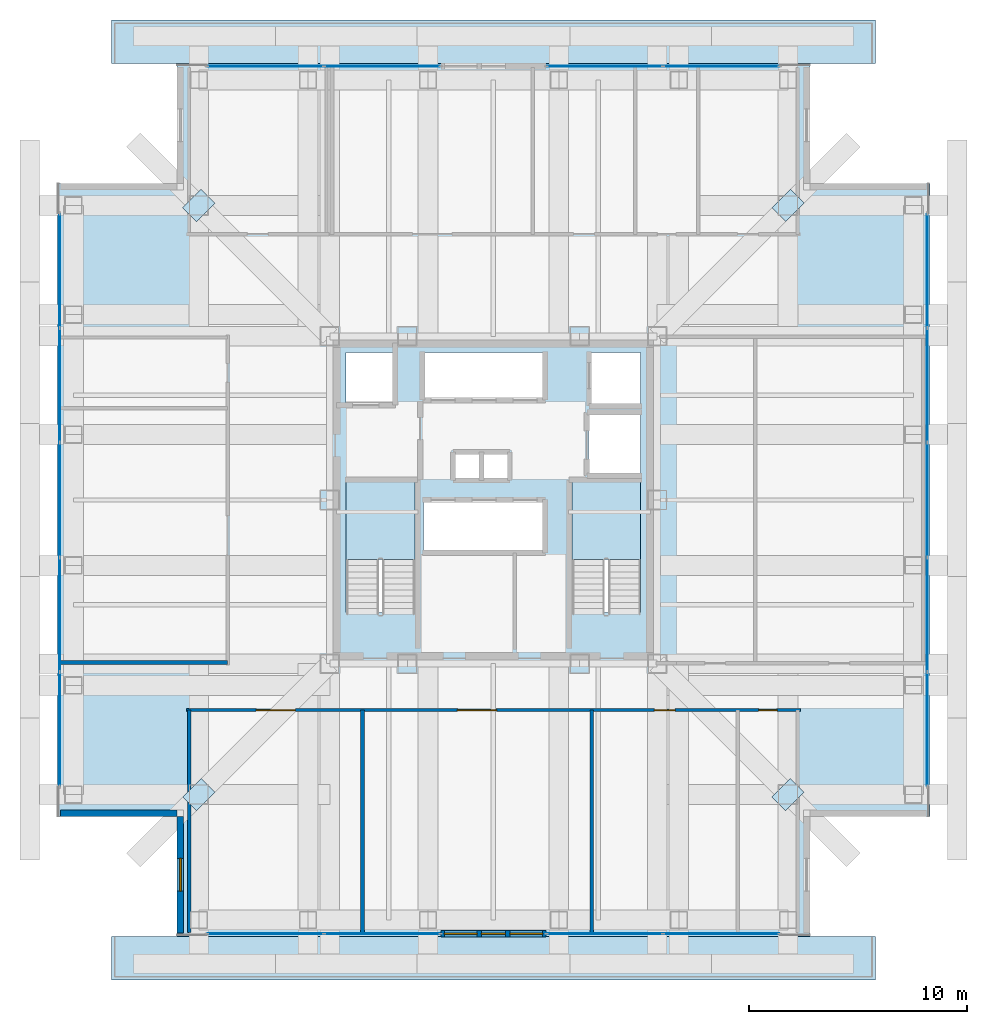
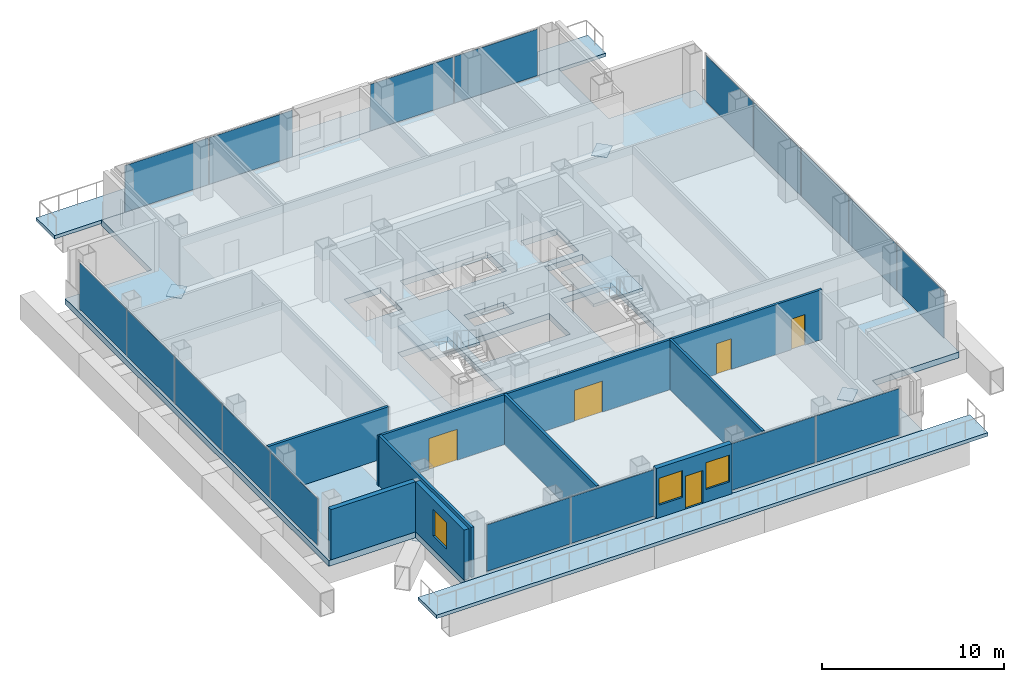
# One storey, part 9 of 14: 22 plates, 8 walls, 5 doors, 5 slabs, 3 windows, 8 openings, 8 elements without a shape of their own.
"""IFC4 building model written with IfcOpenShell, lengths in metres."""

import ifcopenshell
import ifcopenshell.guid

model = None  # the IFC model being written
_history = None  # IfcOwnerHistory: only IFC2X3 demands one
_inside = {}  # id of a spatial element -> (the spatial element, [elements in it])
_under = {}  # id of a project, library or spatial element -> (it, [spatial elements below it])
_declared = {}  # id of a project -> (the project, [libraries it declares])
_typed = {}  # id of a type object -> (the type object, [elements of that type])
_made_of = {}  # id of a material, layer set ... -> (it, [elements and type objects made of it])


def new_model(schema):
    """Start an empty IFC model of exactly this schema.

    Asked for "IFC4X3", IfcOpenShell would pick the latest addendum, in which some entities
    have other attributes; the version numbers below select the first issue.
    IFC2X3 requires an IfcOwnerHistory on every rooted entity: one is made here for all.
    """
    global model, _history
    if schema == "IFC4X3":
        model = ifcopenshell.file(schema_version=(4, 3, 0, 0))
    else:
        model = ifcopenshell.file(schema=schema)
    _inside.clear()
    _under.clear()
    _declared.clear()
    _typed.clear()
    _made_of.clear()
    _history = None
    if model.schema == "IFC2X3":
        org = make("IfcOrganization", Name="unknown")
        user = make(
            "IfcPersonAndOrganization",
            ThePerson=make("IfcPerson", FamilyName="unknown"),
            TheOrganization=org,
        )
        app = make(
            "IfcApplication",
            ApplicationDeveloper=org,
            Version="unknown",
            ApplicationFullName="unknown",
            ApplicationIdentifier="unknown",
        )
        _history = make(
            "IfcOwnerHistory",
            OwningUser=user,
            OwningApplication=app,
            ChangeAction="ADDED",
            CreationDate=0,
        )
    return model


def make(cls, **values):
    """One entity of the class cls with the attributes given. An attribute that is None is left unset."""
    return model.create_entity(
        cls, **{name: value for name, value in values.items() if value is not None}
    )


def rooted(cls, **values):
    """An entity with a GlobalId (a new one), such as an element, a storey or a relation."""
    return make(cls, GlobalId=ifcopenshell.guid.new(), OwnerHistory=_history, **values)


def si_unit(unit_type, name, prefix=None):
    """IfcSIUnit, for example si_unit("LENGTHUNIT", "METRE", prefix="MILLI")."""
    return make("IfcSIUnit", UnitType=unit_type, Prefix=prefix, Name=name)


def assignment(units):
    """IfcUnitAssignment: the units of a project."""
    return None if units is None else make("IfcUnitAssignment", Units=units)


def point(xyz):
    """IfcCartesianPoint."""
    return None if xyz is None else make("IfcCartesianPoint", Coordinates=xyz)


def direction(xyz):
    """IfcDirection."""
    return None if xyz is None else make("IfcDirection", DirectionRatios=xyz)


def frame(location, z_axis=None, x_axis=None):
    """IfcAxis2Placement3D, a coordinate frame: its origin and axes. An axis left out is left unset."""
    return make(
        "IfcAxis2Placement3D",
        Location=point(location),
        Axis=direction(z_axis),
        RefDirection=direction(x_axis),
    )


def frame_2d(location, x_axis=None):
    """IfcAxis2Placement2D, a coordinate frame in the plane: its origin and x axis."""
    return make(
        "IfcAxis2Placement2D", Location=point(location), RefDirection=direction(x_axis)
    )


def origin():
    """The frame at (0, 0, 0) with its axes left unset."""
    return frame((0.0, 0.0, 0.0))


def origin_2d():
    """The frame at (0, 0) in the plane with its x axis left unset."""
    return frame_2d((0.0, 0.0))


def place(relative_to, where):
    """IfcLocalPlacement: puts the frame where relative to a parent placement (None: the world)."""
    return make(
        "IfcLocalPlacement", PlacementRelTo=relative_to, RelativePlacement=where
    )


def context(
    kind, dimensions, precision=None, world=None, true_north=None, identifier=None
):
    """IfcGeometricRepresentationContext, for example the 3D "Model" context."""
    return make(
        "IfcGeometricRepresentationContext",
        ContextIdentifier=identifier,
        ContextType=kind,
        CoordinateSpaceDimension=dimensions,
        Precision=precision,
        WorldCoordinateSystem=world,
        TrueNorth=true_north,
    )


def subcontext(parent, identifier, kind, view, scale=None):
    """IfcGeometricRepresentationSubContext, for example "Body" below "Model"."""
    return make(
        "IfcGeometricRepresentationSubContext",
        ContextIdentifier=identifier,
        ContextType=kind,
        ParentContext=parent,
        TargetScale=scale,
        TargetView=view,
    )


def project(units=None, contexts=None):
    """IfcProject with its units and contexts."""
    return rooted(
        "IfcProject",
        Name="project",
        RepresentationContexts=contexts,
        UnitsInContext=assignment(units),
    )


def spatial(cls, under=None, at=None, **own):
    """A site, building, storey or space (cls), placed at a placement, below another one or the project."""
    s = rooted(cls, ObjectPlacement=at, **own)
    if under is not None:
        _under.setdefault(under.id(), (under, []))[1].append(s)
    return s


def polyline(points):
    """IfcPolyline through the points."""
    return make("IfcPolyline", Points=[point(p) for p in points])


def profile(cls, at=None, kind="AREA", **sizes):
    """A parametric profile (cls). Its sizes go by their IFC names, for example OverallWidth=200.0."""
    return make(cls, ProfileType=kind, Position=at, **sizes)


def rectangle(**sizes):
    """IfcRectangleProfileDef."""
    return profile("IfcRectangleProfileDef", **sizes)


def outline(outer, holes=None, kind="AREA"):
    """IfcArbitraryClosedProfileDef: a profile drawn as a closed curve; with holes, ...WithVoids."""
    if holes is None:
        return make("IfcArbitraryClosedProfileDef", ProfileType=kind, OuterCurve=outer)
    return make(
        "IfcArbitraryProfileDefWithVoids",
        ProfileType=kind,
        OuterCurve=outer,
        InnerCurves=holes,
    )


def extrude(swept, where, along, depth):
    """IfcExtrudedAreaSolid: the profile swept, set in the frame where, extruded along a direction by depth."""
    return make(
        "IfcExtrudedAreaSolid",
        SweptArea=swept,
        Position=where,
        ExtrudedDirection=direction(along),
        Depth=depth,
    )


def shape(context_of_items, identifier, shape_type, items):
    """IfcShapeRepresentation: the items that make up one representation, for example the "Body"."""
    return make(
        "IfcShapeRepresentation",
        ContextOfItems=context_of_items,
        RepresentationIdentifier=identifier,
        RepresentationType=shape_type,
        Items=items,
    )


def material(Name=None, Category=None):
    """IfcMaterial."""
    return make("IfcMaterial", Name=Name, Category=Category)


def layer(
    of_material, thickness, ventilated=None, Name=None, Category=None, Priority=None
):
    """IfcMaterialLayer: one layer of a wall or slab, of a material (None: an air gap)."""
    return make(
        "IfcMaterialLayer",
        Material=of_material,
        LayerThickness=thickness,
        IsVentilated=ventilated,
        Name=Name,
        Category=Category,
        Priority=Priority,
    )


def layer_set(layers, Name=None):
    """IfcMaterialLayerSet."""
    return make("IfcMaterialLayerSet", MaterialLayers=layers, LayerSetName=Name)


def made_of(thing, what):
    """Note that an element or type object is made of a material, layer set ...; save() writes the relation."""
    if what is not None:
        _made_of.setdefault(what.id(), (what, []))[1].append(thing)
    return thing


def type_object(cls, material=None, **own):
    """A type object (cls), such as IfcWallType, which elements share."""
    return made_of(rooted(cls, **own), material)


def element(
    cls,
    number,
    at=None,
    inside=None,
    cuts=None,
    type_object=None,
    material=None,
    context=None,
    identifier="Body",
    shape_type=None,
    held_by="IfcProductDefinitionShape",
    body=None,
    shapes=None,
    **own,
):
    """One element of the class cls, such as IfcWall. Its Tag is "e" and its number.

    at: its placement. inside: the storey or other place that contains it. cuts: it is an
    opening in that element (IfcRelVoidsElement). A single representation is given by context,
    identifier, shape_type and body (its items); several are given by shapes. held_by: the class
    of the entity that holds the representations. save() writes the other relations.
    """
    e = rooted(cls, Tag="e%d" % number, ObjectPlacement=at, **own)
    if body is not None:
        shapes = [shape(context, identifier, shape_type, body)]
    if shapes is not None:
        e.Representation = make(held_by, Representations=shapes)
    if inside is not None:
        _inside.setdefault(inside.id(), (inside, []))[1].append(e)
    if cuts is not None:
        rooted(
            "IfcRelVoidsElement", RelatingBuildingElement=cuts, RelatedOpeningElement=e
        )
    if type_object is not None:
        _typed.setdefault(type_object.id(), (type_object, []))[1].append(e)
    return made_of(e, material)


def fill(opening, filler):
    """IfcRelFillsElement: the door or window that sits in an opening."""
    return rooted(
        "IfcRelFillsElement",
        RelatingOpeningElement=opening,
        RelatedBuildingElement=filler,
    )


def aggregate(whole, parts):
    """IfcRelAggregates: a whole, such as a stair, and the parts it consists of."""
    return rooted("IfcRelAggregates", RelatingObject=whole, RelatedObjects=parts)


def save(model, path):
    """Write the relations noted so far, then the file.

    IfcRelAggregates (storeys below a building ...), IfcRelContainedInSpatialStructure (elements
    in a storey), IfcRelDefinesByType, IfcRelAssociatesMaterial and IfcRelDeclares: one each for
    every whole, place, type object, material and project.
    """
    for whole, parts in _under.values():
        aggregate(whole, parts)
    for where, things in _inside.values():
        rooted(
            "IfcRelContainedInSpatialStructure",
            RelatedElements=things,
            RelatingStructure=where,
        )
    for kind, things in _typed.values():
        rooted("IfcRelDefinesByType", RelatedObjects=things, RelatingType=kind)
    for what, things in _made_of.values():
        rooted("IfcRelAssociatesMaterial", RelatedObjects=things, RelatingMaterial=what)
    for by, libraries in _declared.values():
        rooted("IfcRelDeclares", RelatingContext=by, RelatedDefinitions=libraries)
    model.write(path)


model = new_model("IFC4")

# Units and contexts
model_context = context("Model", 3, precision=1e-05, world=origin(), true_north=direction((0.0, 1.0)))
body_context = subcontext(model_context, "Body", "Model", "MODEL_VIEW")
ifc_project = project(units=[si_unit("LENGTHUNIT", "METRE"), si_unit("AREAUNIT", "SQUARE_METRE"), si_unit("VOLUMEUNIT", "CUBIC_METRE"), si_unit("PLANEANGLEUNIT", "RADIAN"), si_unit("MASSUNIT", "GRAM", prefix="KILO")], contexts=[model_context])

# Site, building, storey
site_placement = place(None, origin())
site = spatial("IfcSite", under=ifc_project, at=site_placement, CompositionType="ELEMENT")
building_placement = place(site_placement, origin())
building = spatial("IfcBuilding", under=site, at=building_placement, Name="Trevonay Congress Spire", CompositionType="ELEMENT")
storey_placement = place(building_placement, frame((0.0, 0.0, 166.199951171875)))
storey = spatial("IfcBuildingStorey", under=building, at=storey_placement, Name="L42", CompositionType="ELEMENT", Elevation=166.199951171875)

# Curtain wall, plates
ifc_material_1 = material(Name="Pale Anodised Aluminium EN AW-6063-T6", Category="aluminium")
ifc_layer_1 = layer(ifc_material_1, 0.169921875, Name="Pale Anodised Aluminium EN AW-6063-T6")
ifc_layer_set_1 = layer_set([ifc_layer_1], Name="Pale Anodised Aluminium EN AW-6063-T6")
curtain_wall_type = type_object("IfcCurtainWallType", Name="CW-SYS04-CORP-PALE-METAL", PredefinedType="NOTDEFINED", material=ifc_layer_set_1)
curtain_wall_1_placement = place(storey_placement, origin())
curtain_wall_1 = element("IfcCurtainWall", 1, at=curtain_wall_1_placement, inside=storey, type_object=curtain_wall_type, Name="L42 SA unitised curtain wall", PredefinedType="NOTDEFINED")
ifc_material_2 = material(Name="Insulated Low-E Vision Glass IGU", Category="glass")
ifc_layer_2 = layer(ifc_material_2, 0.035888671875, Name="Insulated Low-E Vision Glass IGU")
ifc_layer_set_2 = layer_set([ifc_layer_2], Name="Insulated Low-E Vision Glass IGU")
plate_type_1 = type_object("IfcPlateType", Name="CW-PANEL-IGU36-SILVER", PredefinedType="CURTAIN_PANEL", material=ifc_layer_set_2)
plate_1_placement = place(storey_placement, frame((-10.447509765625, -19.8798828125, 0.119873046875), z_axis=(0.0, 0.0, 1.0), x_axis=(1.0, 0.0, 0.0)))
plate_1 = element("IfcPlate", 2, at=plate_1_placement, type_object=plate_type_1, Name="CW04 panel 1.1", PredefinedType="CURTAIN_PANEL", context=body_context, shape_type="SweptSolid", body=[
    extrude(rectangle(XDim=5.284912109375, YDim=0.035888671875, at=origin_2d()), origin(), (0.0, 0.0, 1.0), 3.1201171875),
])
plate_2_placement = place(storey_placement, frame((-5.1025390625, -19.8798828125, 0.119873046875), z_axis=(0.0, 0.0, 1.0), x_axis=(1.0, 0.0, 0.0)))
plate_2 = element("IfcPlate", 3, at=plate_2_placement, type_object=plate_type_1, Name="CW04 panel 2.1", PredefinedType="CURTAIN_PANEL", context=body_context, shape_type="SweptSolid", body=[
    extrude(rectangle(XDim=5.284912109375, YDim=0.035888671875, at=origin_2d()), origin(), (0.0, 0.0, 1.0), 3.1201171875),
])
aggregate(curtain_wall_1, [plate_1, plate_2])

curtain_wall_2_placement = place(storey_placement, origin())
curtain_wall_2 = element("IfcCurtainWall", 4, at=curtain_wall_2_placement, inside=storey, type_object=curtain_wall_type, Name="L42 SB unitised curtain wall", PredefinedType="NOTDEFINED")
plate_3_placement = place(storey_placement, frame((5.1025390625, -19.8798828125, 0.119873046875), z_axis=(0.0, 0.0, 1.0), x_axis=(1.0, 0.0, 0.0)))
plate_3 = element("IfcPlate", 5, at=plate_3_placement, type_object=plate_type_1, Name="CW04 panel 1.1", PredefinedType="CURTAIN_PANEL", context=body_context, shape_type="SweptSolid", body=[
    extrude(rectangle(XDim=5.284912109375, YDim=0.035888671875, at=origin_2d()), origin(), (0.0, 0.0, 1.0), 3.1201171875),
])
plate_4_placement = place(storey_placement, frame((10.447509765625, -19.8798828125, 0.119873046875), z_axis=(0.0, 0.0, 1.0), x_axis=(1.0, 0.0, 0.0)))
plate_4 = element("IfcPlate", 6, at=plate_4_placement, type_object=plate_type_1, Name="CW04 panel 2.1", PredefinedType="CURTAIN_PANEL", context=body_context, shape_type="SweptSolid", body=[
    extrude(rectangle(XDim=5.284912109375, YDim=0.035888671875, at=origin_2d()), origin(), (0.0, 0.0, 1.0), 3.1201171875),
])
aggregate(curtain_wall_2, [plate_3, plate_4])

curtain_wall_3_placement = place(storey_placement, origin())
curtain_wall_3 = element("IfcCurtainWall", 7, at=curtain_wall_3_placement, inside=storey, type_object=curtain_wall_type, Name="L42 NA unitised curtain wall", PredefinedType="NOTDEFINED")
plate_5_placement = place(storey_placement, frame((-10.447509765625, 19.8798828125, 0.119873046875), z_axis=(0.0, 0.0, 1.0), x_axis=(1.0, 0.0, 0.0)))
plate_5 = element("IfcPlate", 8, at=plate_5_placement, type_object=plate_type_1, Name="CW04 panel 1.1", PredefinedType="CURTAIN_PANEL", context=body_context, shape_type="SweptSolid", body=[
    extrude(rectangle(XDim=5.284912109375, YDim=0.035888671875, at=origin_2d()), origin(), (0.0, 0.0, 1.0), 3.1201171875),
])
plate_6_placement = place(storey_placement, frame((-5.1025390625, 19.8798828125, 0.119873046875), z_axis=(0.0, 0.0, 1.0), x_axis=(1.0, 0.0, 0.0)))
plate_6 = element("IfcPlate", 9, at=plate_6_placement, type_object=plate_type_1, Name="CW04 panel 2.1", PredefinedType="CURTAIN_PANEL", context=body_context, shape_type="SweptSolid", body=[
    extrude(rectangle(XDim=5.284912109375, YDim=0.035888671875, at=origin_2d()), origin(), (0.0, 0.0, 1.0), 3.1201171875),
])
aggregate(curtain_wall_3, [plate_5, plate_6])

curtain_wall_4_placement = place(storey_placement, origin())
curtain_wall_4 = element("IfcCurtainWall", 10, at=curtain_wall_4_placement, inside=storey, type_object=curtain_wall_type, Name="L42 NB unitised curtain wall", PredefinedType="NOTDEFINED")
plate_7_placement = place(storey_placement, frame((5.1025390625, 19.8798828125, 0.119873046875), z_axis=(0.0, 0.0, 1.0), x_axis=(1.0, 0.0, 0.0)))
plate_7 = element("IfcPlate", 11, at=plate_7_placement, type_object=plate_type_1, Name="CW04 panel 1.1", PredefinedType="CURTAIN_PANEL", context=body_context, shape_type="SweptSolid", body=[
    extrude(rectangle(XDim=5.284912109375, YDim=0.035888671875, at=origin_2d()), origin(), (0.0, 0.0, 1.0), 3.1201171875),
])
plate_8_placement = place(storey_placement, frame((10.447509765625, 19.8798828125, 0.119873046875), z_axis=(0.0, 0.0, 1.0), x_axis=(1.0, 0.0, 0.0)))
plate_8 = element("IfcPlate", 12, at=plate_8_placement, type_object=plate_type_1, Name="CW04 panel 2.1", PredefinedType="CURTAIN_PANEL", context=body_context, shape_type="SweptSolid", body=[
    extrude(rectangle(XDim=5.284912109375, YDim=0.035888671875, at=origin_2d()), origin(), (0.0, 0.0, 1.0), 3.1201171875),
])
aggregate(curtain_wall_4, [plate_7, plate_8])

curtain_wall_5_placement = place(storey_placement, origin())
curtain_wall_5 = element("IfcCurtainWall", 13, at=curtain_wall_5_placement, inside=storey, type_object=curtain_wall_type, Name="L42 W unitised curtain wall", PredefinedType="NOTDEFINED")
plate_9_placement = place(storey_placement, frame((-19.8798828125, -10.5048828125, 0.119873046875), z_axis=(0.0, 0.0, 1.0), x_axis=(0.0, 1.0, 0.0)))
plate_9 = element("IfcPlate", 14, at=plate_9_placement, type_object=plate_type_1, Name="CW04 panel 1.1", PredefinedType="CURTAIN_PANEL", context=body_context, shape_type="SweptSolid", body=[
    extrude(rectangle(XDim=5.169921875, YDim=0.035888671875, at=origin_2d()), origin(), (0.0, 0.0, 1.0), 3.1201171875),
])
plate_10_placement = place(storey_placement, frame((-19.8798828125, -5.260009765625, 0.119873046875), z_axis=(0.0, 0.0, 1.0), x_axis=(0.0, 1.0, 0.0)))
plate_10 = element("IfcPlate", 15, at=plate_10_placement, type_object=plate_type_1, Name="CW04 panel 2.1", PredefinedType="CURTAIN_PANEL", context=body_context, shape_type="SweptSolid", body=[
    extrude(rectangle(XDim=5.199951171875, YDim=0.035888671875, at=origin_2d()), origin(), (0.0, 0.0, 1.0), 3.1201171875),
])
plate_11_placement = place(storey_placement, frame((-19.8798828125, 0.0, 0.119873046875), z_axis=(0.0, 0.0, 1.0), x_axis=(0.0, 1.0, 0.0)))
plate_11 = element("IfcPlate", 16, at=plate_11_placement, type_object=plate_type_1, Name="CW04 panel 3.1", PredefinedType="CURTAIN_PANEL", context=body_context, shape_type="SweptSolid", body=[
    extrude(rectangle(XDim=5.199951171875, YDim=0.035888671875, at=origin_2d()), origin(), (0.0, 0.0, 1.0), 3.1201171875),
])
plate_12_placement = place(storey_placement, frame((-19.8798828125, 5.260009765625, 0.119873046875), z_axis=(0.0, 0.0, 1.0), x_axis=(0.0, 1.0, 0.0)))
plate_12 = element("IfcPlate", 17, at=plate_12_placement, type_object=plate_type_1, Name="CW04 panel 4.1", PredefinedType="CURTAIN_PANEL", context=body_context, shape_type="SweptSolid", body=[
    extrude(rectangle(XDim=5.199951171875, YDim=0.035888671875, at=origin_2d()), origin(), (0.0, 0.0, 1.0), 3.1201171875),
])
plate_13_placement = place(storey_placement, frame((-19.8798828125, 10.5048828125, 0.119873046875), z_axis=(0.0, 0.0, 1.0), x_axis=(0.0, 1.0, 0.0)))
plate_13 = element("IfcPlate", 18, at=plate_13_placement, type_object=plate_type_1, Name="CW04 panel 5.1", PredefinedType="CURTAIN_PANEL", context=body_context, shape_type="SweptSolid", body=[
    extrude(rectangle(XDim=5.169921875, YDim=0.035888671875, at=origin_2d()), origin(), (0.0, 0.0, 1.0), 3.1201171875),
])
aggregate(curtain_wall_5, [plate_9, plate_10, plate_11, plate_12, plate_13])

curtain_wall_6_placement = place(storey_placement, origin())
curtain_wall_6 = element("IfcCurtainWall", 19, at=curtain_wall_6_placement, inside=storey, type_object=curtain_wall_type, Name="L42 E unitised curtain wall", PredefinedType="NOTDEFINED")
plate_14_placement = place(storey_placement, frame((19.8798828125, -10.5048828125, 0.119873046875), z_axis=(0.0, 0.0, 1.0), x_axis=(0.0, 1.0, 0.0)))
plate_14 = element("IfcPlate", 20, at=plate_14_placement, type_object=plate_type_1, Name="CW04 panel 1.1", PredefinedType="CURTAIN_PANEL", context=body_context, shape_type="SweptSolid", body=[
    extrude(rectangle(XDim=5.169921875, YDim=0.035888671875, at=origin_2d()), origin(), (0.0, 0.0, 1.0), 3.1201171875),
])
plate_15_placement = place(storey_placement, frame((19.8798828125, -5.260009765625, 0.119873046875), z_axis=(0.0, 0.0, 1.0), x_axis=(0.0, 1.0, 0.0)))
plate_15 = element("IfcPlate", 21, at=plate_15_placement, type_object=plate_type_1, Name="CW04 panel 2.1", PredefinedType="CURTAIN_PANEL", context=body_context, shape_type="SweptSolid", body=[
    extrude(rectangle(XDim=5.199951171875, YDim=0.035888671875, at=origin_2d()), origin(), (0.0, 0.0, 1.0), 3.1201171875),
])
plate_16_placement = place(storey_placement, frame((19.8798828125, 0.0, 0.119873046875), z_axis=(0.0, 0.0, 1.0), x_axis=(0.0, 1.0, 0.0)))
plate_16 = element("IfcPlate", 22, at=plate_16_placement, type_object=plate_type_1, Name="CW04 panel 3.1", PredefinedType="CURTAIN_PANEL", context=body_context, shape_type="SweptSolid", body=[
    extrude(rectangle(XDim=5.199951171875, YDim=0.035888671875, at=origin_2d()), origin(), (0.0, 0.0, 1.0), 3.1201171875),
])
plate_17_placement = place(storey_placement, frame((19.8798828125, 5.260009765625, 0.119873046875), z_axis=(0.0, 0.0, 1.0), x_axis=(0.0, 1.0, 0.0)))
plate_17 = element("IfcPlate", 23, at=plate_17_placement, type_object=plate_type_1, Name="CW04 panel 4.1", PredefinedType="CURTAIN_PANEL", context=body_context, shape_type="SweptSolid", body=[
    extrude(rectangle(XDim=5.199951171875, YDim=0.035888671875, at=origin_2d()), origin(), (0.0, 0.0, 1.0), 3.1201171875),
])
plate_18_placement = place(storey_placement, frame((19.8798828125, 10.5048828125, 0.119873046875), z_axis=(0.0, 0.0, 1.0), x_axis=(0.0, 1.0, 0.0)))
plate_18 = element("IfcPlate", 24, at=plate_18_placement, type_object=plate_type_1, Name="CW04 panel 5.1", PredefinedType="CURTAIN_PANEL", context=body_context, shape_type="SweptSolid", body=[
    extrude(rectangle(XDim=5.169921875, YDim=0.035888671875, at=origin_2d()), origin(), (0.0, 0.0, 1.0), 3.1201171875),
])
aggregate(curtain_wall_6, [plate_14, plate_15, plate_16, plate_17, plate_18])

# Plates
ifc_material_3 = material(Name="Steel ASTM A572 Grade 50", Category="steel")
ifc_layer_3 = layer(ifc_material_3, 0.044921875, Name="Steel ASTM A572 Grade 50")
ifc_layer_set_3 = layer_set([ifc_layer_3], Name="Steel ASTM A572 Grade 50")
plate_type_2 = type_object("IfcPlateType", Name="PLT-GUSSET-INT-45", PredefinedType="USERDEFINED", material=ifc_layer_set_3)
for number, where, z_axis, x_axis, name in (
    (25, (-13.5, -13.5, -1.222412109375), (0.0, 0.0, 1.0), (0.707106781187, 0.707106781187, 0.0), "L42 setback column transfer gusset plate KN-01 (SW)"),
    (26, (13.5, -13.5, -1.222412109375), (0.0, 0.0, 1.0), (0.707106781187, 0.707106781187, 0.0), "L42 setback column transfer gusset plate KN-01 (SE)"),
    (27, (13.5, 13.5, -1.222412109375), (0.0, 0.0, 1.0), (0.707106781187, 0.707106781187, 0.0), "L42 setback column transfer gusset plate KN-01 (NE)"),
    (28, (-13.5, 13.5, -1.222412109375), (0.0, 0.0, 1.0), (0.707106781187, 0.707106781187, 0.0), "L42 setback column transfer gusset plate KN-01 (NW)"),
):
    element("IfcPlate", number, at=place(storey_placement, frame(where, z_axis=z_axis, x_axis=x_axis)), inside=storey, type_object=plate_type_2, Name=name, ObjectType="GUSSET_PLATE", PredefinedType="USERDEFINED", context=body_context, shape_type="SweptSolid", body=[
        extrude(rectangle(XDim=1.199951171875, YDim=0.89990234375, at=origin_2d()), origin(), (0.0, 0.0, 1.0), 0.044921875),
    ])

# Slabs
ifc_material_4 = material(Name="Concrete C40/50", Category="concrete")
ifc_layer_4 = layer(ifc_material_4, 0.22998046875, Name="Concrete C40/50")
ifc_layer_set_4 = layer_set([ifc_layer_4], Name="Concrete C40/50")
slab_type_1 = type_object("IfcSlabType", Name="SLB-SKYGARD-230", PredefinedType="FLOOR", material=ifc_layer_set_4)
slab_1_placement = place(storey_placement, frame((0.0, 0.0, -0.22998046875)))
element("IfcSlab", 29, at=slab_1_placement, inside=storey, type_object=slab_type_1, Name="L42 setback sky-garden terrace slab S", PredefinedType="FLOOR", context=body_context, shape_type="SweptSolid", body=[
    extrude(outline(polyline([(-17.5, -22.0), (17.5, -22.0), (17.5, -20.0), (-17.5, -20.0), (-17.5, -22.0)])), origin(), (0.0, 0.0, 1.0), 0.22998046875),
])
slab_2_placement = place(storey_placement, frame((0.0, 0.0, -0.22998046875)))
element("IfcSlab", 30, at=slab_2_placement, inside=storey, type_object=slab_type_1, Name="L42 setback sky-garden terrace slab N", PredefinedType="FLOOR", context=body_context, shape_type="SweptSolid", body=[
    extrude(outline(polyline([(-17.5, 20.0), (17.5, 20.0), (17.5, 22.0), (-17.5, 22.0), (-17.5, 20.0)])), origin(), (0.0, 0.0, 1.0), 0.22998046875),
])

# Stair, slab
stair_type_1 = type_object("IfcStairType", Name="STR-ST-1", PredefinedType="HALF_TURN_STAIR", material=ifc_material_4)
stair_1_placement = place(storey_placement, origin())
stair_1 = element("IfcStair", 31, at=stair_1_placement, inside=storey, type_object=stair_type_1, Name="L42 Protected Exit Stair ST-1", PredefinedType="HALF_TURN_STAIR")
ifc_layer_5 = layer(ifc_material_4, 0.199951171875, Name="Concrete C40/50")
ifc_layer_set_5 = layer_set([ifc_layer_5], Name="Concrete C40/50")
slab_type_2 = type_object("IfcSlabType", Name="SLB-STAIR-LAND-200", PredefinedType="LANDING", material=ifc_layer_set_5)
slab_3_placement = place(storey_placement, frame((0.0, 0.0, 1.60009765625)))
slab_3 = element("IfcSlab", 32, at=slab_3_placement, type_object=slab_type_2, Name="ST-1 landing 1", PredefinedType="LANDING", context=body_context, shape_type="SweptSolid", body=[
    extrude(outline(polyline([(-3.60009765625, -2.72998046875), (-3.60009765625, 0.85009765625), (-6.75, 0.85009765625), (-6.75, -2.72998046875), (-3.60009765625, -2.72998046875)])), origin(), (0.0, 0.0, 1.0), 0.199951171875),
])
aggregate(stair_1, [slab_3])

stair_type_2 = type_object("IfcStairType", Name="STR-ST-2", PredefinedType="HALF_TURN_STAIR", material=ifc_material_4)
stair_2_placement = place(storey_placement, origin())
stair_2 = element("IfcStair", 33, at=stair_2_placement, inside=storey, type_object=stair_type_2, Name="L42 Protected Exit Stair ST-2", PredefinedType="HALF_TURN_STAIR")
slab_4_placement = place(storey_placement, frame((0.0, 0.0, 1.60009765625)))
slab_4 = element("IfcSlab", 34, at=slab_4_placement, type_object=slab_type_2, Name="ST-2 landing 1", PredefinedType="LANDING", context=body_context, shape_type="SweptSolid", body=[
    extrude(outline(polyline([(6.75, -2.72998046875), (6.75, 0.85009765625), (3.60009765625, 0.85009765625), (3.60009765625, -2.72998046875), (6.75, -2.72998046875)])), origin(), (0.0, 0.0, 1.0), 0.199951171875),
])
aggregate(stair_2, [slab_4])

# Slab
ifc_layer_6 = layer(ifc_material_4, 0.39990234375, Name="Concrete C40/50")
ifc_layer_set_6 = layer_set([ifc_layer_6], Name="Concrete C40/50")
slab_type_3 = type_object("IfcSlabType", Name="SLB-XFER-400", PredefinedType="FLOOR", material=ifc_layer_set_6)
slab_5_placement = place(storey_placement, frame((0.0, 0.0, -0.39990234375)))
element("IfcSlab", 35, at=slab_5_placement, inside=storey, type_object=slab_type_3, Name="L42 structural floor slab", PredefinedType="FLOOR", context=body_context, shape_type="SweptSolid", body=[
    extrude(outline(polyline([(-14.5, -20.0), (14.5, -20.0), (14.5, -14.5), (20.0, -14.5), (20.0, 14.5), (14.5, 14.5), (14.5, 20.0), (-14.5, 20.0), (-14.5, 14.5), (-20.0, 14.5), (-20.0, -14.5), (-14.5, -14.5), (-14.5, -20.0)]), holes=[polyline([(-3.60009765625, -5.14990234375), (-3.60009765625, 0.85009765625), (-6.75, 0.85009765625), (-6.75, -5.14990234375), (-3.60009765625, -5.14990234375)]), polyline([(6.75, -5.14990234375), (6.75, 0.85009765625), (3.60009765625, 0.85009765625), (3.60009765625, -5.14990234375), (6.75, -5.14990234375)]), polyline([(-3.199951171875, -2.35009765625), (2.340087890625, -2.35009765625), (2.340087890625, -0.050048828125), (-3.199951171875, -0.050048828125), (-3.199951171875, -2.35009765625)]), polyline([(-3.199951171875, 4.64990234375), (2.340087890625, 4.64990234375), (2.340087890625, 6.75), (-3.199951171875, 6.75), (-3.199951171875, 4.64990234375)]), polyline([(-6.75, 4.35009765625), (-4.449951171875, 4.35009765625), (-4.449951171875, 6.75), (-6.75, 6.75), (-6.75, 4.35009765625)]), polyline([(4.449951171875, 4.35009765625), (6.75, 4.35009765625), (6.75, 6.75), (4.449951171875, 6.75), (4.449951171875, 4.35009765625)]), polyline([(4.35009765625, 1.199951171875), (6.75, 1.199951171875), (6.75, 3.949951171875), (4.35009765625, 3.949951171875), (4.35009765625, 1.199951171875)]), polyline([(-1.800048828125, 0.949951171875), (0.699951171875, 0.949951171875), (0.699951171875, 2.14990234375), (-1.800048828125, 2.14990234375), (-1.800048828125, 0.949951171875)])]), origin(), (0.0, 0.0, 1.0), 0.39990234375),
])

# Wall, openings, doors
ifc_layer_7 = layer(ifc_material_4, 0.14990234375, Name="Concrete C40/50")
ifc_layer_set_7 = layer_set([ifc_layer_7], Name="Concrete C40/50")
wall_type_1 = type_object("IfcWallType", Name="WAL-CORR-150", PredefinedType="PARTITIONING", material=ifc_layer_set_7)
wall_1_placement = place(storey_placement, frame((-14.070068359375, -9.6298828125, 0.0), z_axis=(0.0, 0.0, 1.0), x_axis=(1.0, 0.0, 0.0)))
wall_1 = element("IfcWall", 36, at=wall_1_placement, inside=storey, type_object=wall_type_1, Name="L42 interior wall WP-L42S-COR", PredefinedType="PARTITIONING", context=body_context, shape_type="SweptSolid", body=[
    extrude(rectangle(XDim=28.14013671875, YDim=0.14990234375, at=frame_2d((14.070068359375, 0.0))), origin(), (0.0, 0.0, 1.0), 3.360107421875),
])
opening_1_placement = place(wall_1_placement, frame((3.195068359375, 0.0, 0.0)))
opening_1 = element("IfcOpeningElement", 37, at=opening_1_placement, cuts=wall_1, Name="Opening D09", PredefinedType="OPENING", context=body_context, shape_type="SweptSolid", body=[
    extrude(rectangle(XDim=1.800048828125, YDim=2.080078125, at=frame_2d((0.89990234375, 1.0400390625))), frame((0.0, 0.0849609375, 0.0), z_axis=(0.0, -1.0, 0.0), x_axis=(1.0, 0.0, 0.0)), (0.0, 0.0, 1.0), 0.169921875),
])
opening_2_placement = place(wall_1_placement, frame((12.419921875, 0.0, 0.0)))
opening_2 = element("IfcOpeningElement", 38, at=opening_2_placement, cuts=wall_1, Name="Opening D09", PredefinedType="OPENING", context=body_context, shape_type="SweptSolid", body=[
    extrude(rectangle(XDim=1.800048828125, YDim=2.080078125, at=frame_2d((0.89990234375, 1.0400390625))), frame((0.0, 0.0849609375, 0.0), z_axis=(0.0, -1.0, 0.0), x_axis=(1.0, 0.0, 0.0)), (0.0, 0.0, 1.0), 0.169921875),
])
opening_3_placement = place(wall_1_placement, frame((21.445068359375, 0.0, 0.0)))
opening_3 = element("IfcOpeningElement", 39, at=opening_3_placement, cuts=wall_1, Name="Opening D07", PredefinedType="OPENING", context=body_context, shape_type="SweptSolid", body=[
    extrude(rectangle(XDim=0.949951171875, YDim=2.06005859375, at=frame_2d((0.47509765625, 1.030029296875))), frame((0.0, 0.0849609375, 0.0), z_axis=(0.0, -1.0, 0.0), x_axis=(1.0, 0.0, 0.0)), (0.0, 0.0, 1.0), 0.169921875),
])
opening_4_placement = place(wall_1_placement, frame((26.219970703125, 0.0, 0.0)))
opening_4 = element("IfcOpeningElement", 40, at=opening_4_placement, cuts=wall_1, Name="Opening D10", PredefinedType="OPENING", context=body_context, shape_type="SweptSolid", body=[
    extrude(rectangle(XDim=0.85009765625, YDim=2.050048828125, at=frame_2d((0.425048828125, 1.02490234375))), frame((0.0, 0.0849609375, 0.0), z_axis=(0.0, -1.0, 0.0), x_axis=(1.0, 0.0, 0.0)), (0.0, 0.0, 1.0), 0.169921875),
])
door_type_1 = type_object("IfcDoorType", Name="DOR-CONF-DBL", OperationType="DOUBLE_DOOR_SINGLE_SWING", PredefinedType="DOOR", material=ifc_material_1)
door_1_placement = place(opening_1_placement, origin())
door_1 = element("IfcDoor", 41, at=door_1_placement, inside=storey, type_object=door_type_1, Name="L42 Zone 3 Sky-Garden Transfer Lounge Door", OperationType="DOUBLE_DOOR_SINGLE_SWING", OverallHeight=2.080078125, OverallWidth=1.800048828125, PredefinedType="DOOR", context=body_context, shape_type="SweptSolid", body=[
    extrude(rectangle(XDim=1.800048828125, YDim=2.080078125, at=frame_2d((0.89990234375, 1.0400390625))), frame((0.0, 0.02490234375, 0.0), z_axis=(0.0, -1.0, 0.0), x_axis=(1.0, 0.0, 0.0)), (0.0, 0.0, 1.0), 0.050048828125),
])
fill(opening_1, door_1)
door_2_placement = place(opening_2_placement, origin())
door_2 = element("IfcDoor", 42, at=door_2_placement, inside=storey, type_object=door_type_1, Name="L42 Sky Cafe Bar Door", OperationType="DOUBLE_DOOR_SINGLE_SWING", OverallHeight=2.080078125, OverallWidth=1.800048828125, PredefinedType="DOOR", context=body_context, shape_type="SweptSolid", body=[
    extrude(rectangle(XDim=1.800048828125, YDim=2.080078125, at=frame_2d((0.89990234375, 1.0400390625))), frame((0.0, 0.02490234375, 0.0), z_axis=(0.0, -1.0, 0.0), x_axis=(1.0, 0.0, 0.0)), (0.0, 0.0, 1.0), 0.050048828125),
])
fill(opening_2, door_2)
door_type_2 = type_object("IfcDoorType", Name="DOR-OFFICE-95", OperationType="NOTDEFINED", PredefinedType="DOOR", material=ifc_material_1)
door_3_placement = place(opening_3_placement, origin())
door_3 = element("IfcDoor", 43, at=door_3_placement, inside=storey, type_object=door_type_2, Name="L42 Transfer Concierge Office Door", OperationType="SINGLE_SWING_RIGHT", OverallHeight=2.06005859375, OverallWidth=0.949951171875, PredefinedType="DOOR", context=body_context, shape_type="SweptSolid", body=[
    extrude(rectangle(XDim=0.949951171875, YDim=2.06005859375, at=frame_2d((0.47509765625, 1.030029296875))), frame((0.0, 0.02490234375, 0.0), z_axis=(0.0, -1.0, 0.0), x_axis=(1.0, 0.0, 0.0)), (0.0, 0.0, 1.0), 0.050048828125),
])
fill(opening_3, door_3)
door_type_3 = type_object("IfcDoorType", Name="DOR-WC-85", OperationType="NOTDEFINED", PredefinedType="DOOR", material=ifc_material_1)
door_4_placement = place(opening_4_placement, origin())
door_4 = element("IfcDoor", 44, at=door_4_placement, inside=storey, type_object=door_type_3, Name="L42 Accessible WC Door", OperationType="SINGLE_SWING_LEFT", OverallHeight=2.050048828125, OverallWidth=0.85009765625, PredefinedType="DOOR", context=body_context, shape_type="SweptSolid", body=[
    extrude(rectangle(XDim=0.85009765625, YDim=2.050048828125, at=frame_2d((0.425048828125, 1.02490234375))), frame((0.0, 0.02490234375, 0.0), z_axis=(0.0, -1.0, 0.0), x_axis=(1.0, 0.0, 0.0)), (0.0, 0.0, 1.0), 0.050048828125),
])
fill(opening_4, door_4)

# Wall, openings, door, windows
ifc_material_5 = material(Name="Precast concrete C40/50", Category="concrete")
ifc_layer_8 = layer(ifc_material_5, 0.300048828125, Name="Precast concrete C40/50")
ifc_layer_set_8 = layer_set([ifc_layer_8], Name="Precast concrete C40/50")
wall_type_2 = type_object("IfcWallType", Name="WAL-EXT-PRECAST-300", PredefinedType="SOLIDWALL", material=ifc_layer_set_8)
wall_2_placement = place(storey_placement, frame((-2.39990234375, -19.8798828125, 0.0), z_axis=(0.0, 0.0, 1.0), x_axis=(1.0, 0.0, 0.0)))
wall_2 = element("IfcWall", 45, at=wall_2_placement, inside=storey, type_object=wall_type_2, Name="L42 S glazed balcony portal exterior wall", PredefinedType="SOLIDWALL", context=body_context, shape_type="SweptSolid", body=[
    extrude(rectangle(XDim=4.7998046875, YDim=0.300048828125, at=frame_2d((2.39990234375, 0.0))), origin(), (0.0, 0.0, 1.0), 3.360107421875),
])
opening_5_placement = place(wall_2_placement, frame((1.85009765625, 0.0, 0.0)))
opening_5 = element("IfcOpeningElement", 46, at=opening_5_placement, cuts=wall_2, Name="Opening D03", PredefinedType="OPENING", context=body_context, shape_type="SweptSolid", body=[
    extrude(rectangle(XDim=1.10009765625, YDim=2.199951171875, at=frame_2d((0.550048828125, 1.10009765625))), frame((0.0, 0.16015625, 0.0), z_axis=(0.0, -1.0, 0.0), x_axis=(1.0, 0.0, 0.0)), (0.0, 0.0, 1.0), 0.320068359375),
])
opening_6_placement = place(wall_2_placement, frame((0.14990234375, 0.0, 0.85009765625)))
opening_6 = element("IfcOpeningElement", 47, at=opening_6_placement, cuts=wall_2, Name="Opening WN03", PredefinedType="OPENING", context=body_context, shape_type="SweptSolid", body=[
    extrude(rectangle(XDim=1.5, YDim=1.800048828125, at=frame_2d((0.75, 0.89990234375))), frame((0.0, 0.16015625, 0.0), z_axis=(0.0, -1.0, 0.0), x_axis=(1.0, 0.0, 0.0)), (0.0, 0.0, 1.0), 0.320068359375),
])
opening_7_placement = place(wall_2_placement, frame((3.14990234375, 0.0, 0.85009765625)))
opening_7 = element("IfcOpeningElement", 48, at=opening_7_placement, cuts=wall_2, Name="Opening WN03", PredefinedType="OPENING", context=body_context, shape_type="SweptSolid", body=[
    extrude(rectangle(XDim=1.5, YDim=1.800048828125, at=frame_2d((0.75, 0.89990234375))), frame((0.0, 0.16015625, 0.0), z_axis=(0.0, -1.0, 0.0), x_axis=(1.0, 0.0, 0.0)), (0.0, 0.0, 1.0), 0.320068359375),
])
door_type_4 = type_object("IfcDoorType", Name="DOR-EXT-BAL-110", OperationType="NOTDEFINED", PredefinedType="DOOR", material=ifc_material_1)
door_5_placement = place(opening_5_placement, origin())
door_5 = element("IfcDoor", 49, at=door_5_placement, inside=storey, type_object=door_type_4, Name="L42 S glazed outdoor terrace and balcony door", OperationType="SINGLE_SWING_LEFT", OverallHeight=2.199951171875, OverallWidth=1.10009765625, PredefinedType="DOOR", context=body_context, shape_type="SweptSolid", body=[
    extrude(rectangle(XDim=1.10009765625, YDim=2.199951171875, at=frame_2d((0.550048828125, 1.10009765625))), frame((0.0, 0.02490234375, 0.0), z_axis=(0.0, -1.0, 0.0), x_axis=(1.0, 0.0, 0.0)), (0.0, 0.0, 1.0), 0.050048828125),
])
fill(opening_5, door_5)
window_type = type_object("IfcWindowType", Name="WIN-NOTCH-150X180", PartitioningType="SINGLE_PANEL", PredefinedType="WINDOW", material=ifc_material_2)
window_1_placement = place(opening_6_placement, origin())
window_1 = element("IfcWindow", 50, at=window_1_placement, inside=storey, type_object=window_type, Name="L42 S balcony sidelight window L", OverallHeight=1.800048828125, OverallWidth=1.5, PartitioningType="SINGLE_PANEL", PredefinedType="WINDOW", context=body_context, shape_type="SweptSolid", body=[
    extrude(rectangle(XDim=1.5, YDim=1.800048828125, at=frame_2d((0.75, 0.89990234375))), frame((0.0, 0.030029296875, 0.0), z_axis=(0.0, -1.0, 0.0), x_axis=(1.0, 0.0, 0.0)), (0.0, 0.0, 1.0), 0.06005859375),
])
fill(opening_6, window_1)
window_2_placement = place(opening_7_placement, origin())
window_2 = element("IfcWindow", 51, at=window_2_placement, inside=storey, type_object=window_type, Name="L42 S balcony sidelight window R", OverallHeight=1.800048828125, OverallWidth=1.5, PartitioningType="SINGLE_PANEL", PredefinedType="WINDOW", context=body_context, shape_type="SweptSolid", body=[
    extrude(rectangle(XDim=1.5, YDim=1.800048828125, at=frame_2d((0.75, 0.89990234375))), frame((0.0, 0.030029296875, 0.0), z_axis=(0.0, -1.0, 0.0), x_axis=(1.0, 0.0, 0.0)), (0.0, 0.0, 1.0), 0.06005859375),
])
fill(opening_7, window_2)

# Wall, opening, window
wall_3_placement = place(storey_placement, frame((-14.35009765625, -19.85009765625, 0.0), z_axis=(0.0, 0.0, 1.0), x_axis=(0.0, 1.0, 0.0)))
wall_3 = element("IfcWall", 52, at=wall_3_placement, inside=storey, type_object=wall_type_2, Name="L42 SW re-entrant notch exterior wall 1", PredefinedType="SOLIDWALL", context=body_context, shape_type="SweptSolid", body=[
    extrude(rectangle(XDim=5.35009765625, YDim=0.300048828125, at=frame_2d((2.675048828125, 0.0))), origin(), (0.0, 0.0, 1.0), 3.360107421875),
])
opening_8_placement = place(wall_3_placement, frame((1.925048828125, 0.0, 0.89990234375)))
opening_8 = element("IfcOpeningElement", 53, at=opening_8_placement, cuts=wall_3, Name="Opening WN03", PredefinedType="OPENING", context=body_context, shape_type="SweptSolid", body=[
    extrude(rectangle(XDim=1.5, YDim=1.800048828125, at=frame_2d((0.75, 0.89990234375))), frame((0.0, 0.16015625, 0.0), z_axis=(0.0, -1.0, 0.0), x_axis=(1.0, 0.0, 0.0)), (0.0, 0.0, 1.0), 0.320068359375),
])
window_3_placement = place(opening_8_placement, origin())
window_3 = element("IfcWindow", 54, at=window_3_placement, inside=storey, type_object=window_type, Name="L42 SW corner notch window", OverallHeight=1.800048828125, OverallWidth=1.5, PartitioningType="SINGLE_PANEL", PredefinedType="WINDOW", context=body_context, shape_type="SweptSolid", body=[
    extrude(rectangle(XDim=1.5, YDim=1.800048828125, at=frame_2d((0.75, 0.89990234375))), frame((0.0, 0.030029296875, 0.0), z_axis=(0.0, -1.0, 0.0), x_axis=(1.0, 0.0, 0.0)), (0.0, 0.0, 1.0), 0.06005859375),
])
fill(opening_8, window_3)

# Walls
wall_4_placement = place(storey_placement, frame((-19.85009765625, -14.35009765625, 0.0), z_axis=(0.0, 0.0, 1.0), x_axis=(1.0, 0.0, 0.0)))
element("IfcWall", 55, at=wall_4_placement, inside=storey, type_object=wall_type_2, Name="L42 SW re-entrant notch exterior wall 2", PredefinedType="SOLIDWALL", context=body_context, shape_type="SweptSolid", body=[
    extrude(rectangle(XDim=5.35009765625, YDim=0.300048828125, at=frame_2d((2.675048828125, 0.0))), origin(), (0.0, 0.0, 1.0), 3.360107421875),
])
ifc_layer_9 = layer(ifc_material_4, 0.14990234375, Name="Concrete C40/50")
ifc_layer_set_9 = layer_set([ifc_layer_9], Name="Concrete C40/50")
wall_type_3 = type_object("IfcWallType", Name="WAL-PART-150", PredefinedType="PARTITIONING", material=ifc_layer_set_9)
wall_5_placement = place(storey_placement, frame((4.5, -19.820068359375, 0.0), z_axis=(0.0, 0.0, 1.0), x_axis=(0.0, 1.0, 0.0)))
element("IfcWall", 56, at=wall_5_placement, inside=storey, type_object=wall_type_3, Name="L42 interior wall WP-L42S-DIV3", PredefinedType="PARTITIONING", context=body_context, shape_type="SweptSolid", body=[
    extrude(rectangle(XDim=10.190185546875, YDim=0.14990234375, at=frame_2d((5.09521484375, 0.0))), origin(), (0.0, 0.0, 1.0), 3.360107421875),
])
ifc_layer_10 = layer(ifc_material_4, 0.1650390625, Name="Concrete C40/50")
ifc_layer_set_10 = layer_set([ifc_layer_10], Name="Concrete C40/50")
wall_type_4 = type_object("IfcWallType", Name="WAL-WET-165", PredefinedType="PLUMBINGWALL", material=ifc_layer_set_10)
for number, where, z_axis, x_axis, name in (
    (57, (-13.949951171875, -19.820068359375, 0.0), (0.0, 0.0, 1.0), (0.0, 1.0, 0.0), "L42 interior wall WP-L42S-DIV1"),
    (58, (-6.0, -19.820068359375, 0.0), (0.0, 0.0, 1.0), (0.0, 1.0, 0.0), "L42 interior wall WP-L42S-DIV2"),
):
    element("IfcWall", number, at=place(storey_placement, frame(where, z_axis=z_axis, x_axis=x_axis)), inside=storey, type_object=wall_type_4, Name=name, PredefinedType="PLUMBINGWALL", context=body_context, shape_type="SweptSolid", body=[
        extrude(rectangle(XDim=10.190185546875, YDim=0.1650390625, at=frame_2d((5.09521484375, 0.0))), origin(), (0.0, 0.0, 1.0), 3.360107421875),
    ])
wall_6_placement = place(storey_placement, frame((-19.820068359375, -7.449951171875, 0.0), z_axis=(0.0, 0.0, 1.0), x_axis=(1.0, 0.0, 0.0)))
element("IfcWall", 59, at=wall_6_placement, inside=storey, type_object=wall_type_4, Name="L42 interior wall WP-L42W-DIV1", PredefinedType="PLUMBINGWALL", context=body_context, shape_type="SweptSolid", body=[
    extrude(rectangle(XDim=7.64013671875, YDim=0.1650390625, at=frame_2d((3.820068359375, 0.0))), origin(), (0.0, 0.0, 1.0), 3.360107421875),
])

save(model, "model.ifc")
